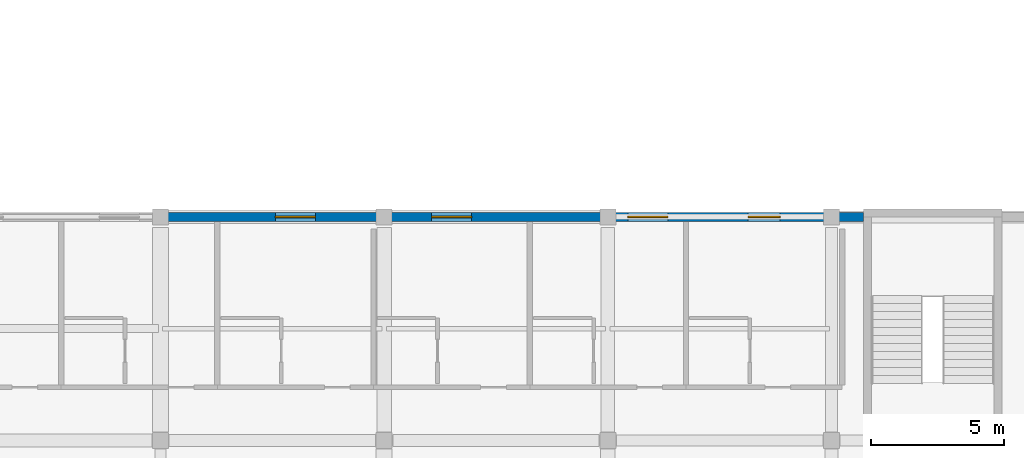
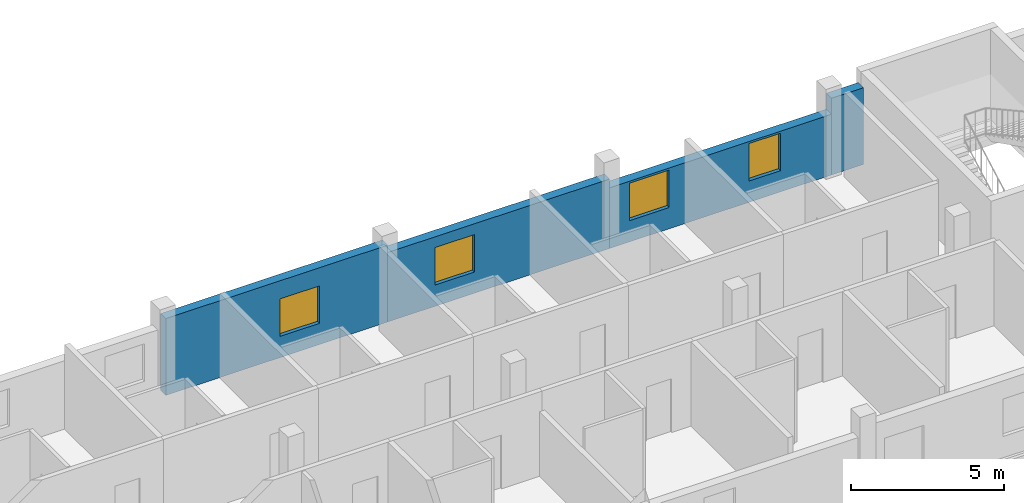
# One storey, part 20 of 25: 4 walls, 4 windows, 4 openings.
"""IFC4 building model written with IfcOpenShell, lengths in metres."""

from ifc_helpers import new_model, si_unit, derived_unit, direction, frame, frame_2d, origin, place, context, subcontext, project, spatial, rectangle, extrude, material, layer, layer_set, type_object, element, fill, save


model = new_model("IFC4")

# Units and contexts
model_context = context("Model", 3, precision=1e-05, world=origin(), true_north=direction((0.0, 1.0)))
body_context = subcontext(model_context, "Body", "Model", "MODEL_VIEW")
ifc_project = project(units=[si_unit("LENGTHUNIT", "METRE"), si_unit("AREAUNIT", "SQUARE_METRE"), si_unit("VOLUMEUNIT", "CUBIC_METRE"), si_unit("PLANEANGLEUNIT", "RADIAN"), si_unit("MASSUNIT", "GRAM", prefix="KILO"), derived_unit("THERMALTRANSMITTANCEUNIT", [(si_unit("POWERUNIT", "WATT"), 1), (si_unit("LENGTHUNIT", "METRE"), -2), (si_unit("THERMODYNAMICTEMPERATUREUNIT", "KELVIN"), -1)])], contexts=[model_context])

# Site, building, storey
site_placement = place(None, origin())
site = spatial("IfcSite", under=ifc_project, at=site_placement, CompositionType="ELEMENT")
building_placement = place(site_placement, origin())
building = spatial("IfcBuilding", under=site, at=building_placement, Name="Barrovel Congress Hotel", CompositionType="ELEMENT")
storey_placement = place(building_placement, frame((0.0, 0.0, 25.5)))
storey = spatial("IfcBuildingStorey", under=building, at=storey_placement, Name="L06", CompositionType="ELEMENT", Elevation=25.5)

# Wall, openings, windows
ifc_material_1 = material(Name="Fired Clay Brick Masonry", Category="masonry")
ifc_layer = layer(ifc_material_1, 0.340087890625)
ifc_layer_set = layer_set([ifc_layer], Name="Fired Clay Brick Masonry")
wall_type = type_object("IfcWallType", Name="EW-BRK340", PredefinedType="STANDARD", material=ifc_layer_set)
wall_1_placement = place(storey_placement, frame((142.800048828125, 21.0, 0.0), z_axis=(0.0, 0.0, 1.0), x_axis=(-1.0, 0.0, 0.0)))
wall_1 = element("IfcWall", 1, at=wall_1_placement, inside=storey, type_object=wall_type, Name="EW:L06:HS-NE-2", PredefinedType="STANDARD", context=body_context, shape_type="SweptSolid", body=[
    extrude(rectangle(XDim=8.400146484375, YDim=0.340087890625, at=frame_2d((4.2001953125, 0.0))), origin(), (0.0, 0.0, 1.0), 2.429931640625),
])
opening_1_placement = place(wall_1_placement, frame((6.14990234375, 0.0, 0.85009765625)))
opening_1 = element("IfcOpeningElement", 2, at=opening_1_placement, cuts=wall_1, Name="Opening WN-07", PredefinedType="OPENING", context=body_context, shape_type="SweptSolid", body=[
    extrude(rectangle(XDim=1.5, YDim=1.5, at=frame_2d((0.75, 0.75))), frame((0.0, 0.18017578125, 0.0), z_axis=(0.0, -1.0, 0.0), x_axis=(1.0, 0.0, 0.0)), (0.0, 0.0, 1.0), 0.360107421875),
])
opening_2_placement = place(wall_1_placement, frame((1.933349609375, 0.0, 0.85009765625)))
opening_2 = element("IfcOpeningElement", 3, at=opening_2_placement, cuts=wall_1, Name="Opening WN-06", PredefinedType="OPENING", context=body_context, shape_type="SweptSolid", body=[
    extrude(rectangle(XDim=1.199951171875, YDim=1.5, at=frame_2d((0.60009765625, 0.75))), frame((0.0, 0.18017578125, 0.0), z_axis=(0.0, -1.0, 0.0), x_axis=(1.0, 0.0, 0.0)), (0.0, 0.0, 1.0), 0.360107421875),
])
ifc_material_2 = material(Name="Double Low-E Insulated Glazing", Category="glass")
window_type_1 = type_object("IfcWindowType", Name="WIN-WN-06", PartitioningType="SINGLE_PANEL", PredefinedType="WINDOW", material=ifc_material_2)
window_1_placement = place(opening_2_placement, origin())
window_1 = element("IfcWindow", 4, at=window_1_placement, inside=storey, type_object=window_type_1, Name="WIN:L06:U27", OverallHeight=1.5, OverallWidth=1.199951171875, PartitioningType="SINGLE_PANEL", PredefinedType="WINDOW", context=body_context, shape_type="SweptSolid", body=[
    extrude(rectangle(XDim=1.199951171875, YDim=1.5, at=frame_2d((0.60009765625, 0.75))), frame((0.0, 0.030029296875, 0.0), z_axis=(0.0, -1.0, 0.0), x_axis=(1.0, 0.0, 0.0)), (0.0, 0.0, 1.0), 0.06005859375),
])
fill(opening_2, window_1)
window_type_2 = type_object("IfcWindowType", Name="WIN-WN-07", PartitioningType="SINGLE_PANEL", PredefinedType="WINDOW", material=ifc_material_2)
window_2_placement = place(opening_1_placement, origin())
window_2 = element("IfcWindow", 5, at=window_2_placement, inside=storey, type_object=window_type_2, Name="WIN:L06:U26", OverallHeight=1.5, OverallWidth=1.5, PartitioningType="SINGLE_PANEL", PredefinedType="WINDOW", context=body_context, shape_type="SweptSolid", body=[
    extrude(rectangle(XDim=1.5, YDim=1.5, at=frame_2d((0.75, 0.75))), frame((0.0, 0.030029296875, 0.0), z_axis=(0.0, -1.0, 0.0), x_axis=(1.0, 0.0, 0.0)), (0.0, 0.0, 1.0), 0.06005859375),
])
fill(opening_1, window_2)

# Wall
wall_2_placement = place(storey_placement, frame((144.0, 21.0, 0.0), z_axis=(0.0, 0.0, 1.0), x_axis=(-1.0, 0.0, 0.0)))
element("IfcWall", 6, at=wall_2_placement, inside=storey, type_object=wall_type, Name="EW:L06:HS-NE-2:P01", PredefinedType="STANDARD", context=body_context, shape_type="SweptSolid", body=[
    extrude(rectangle(XDim=1.199951171875, YDim=0.340087890625, at=frame_2d((0.60009765625, 0.0))), origin(), (0.0, 0.0, 1.0), 3.070068359375),
])

# Wall, opening, window
wall_3_placement = place(storey_placement, frame((134.39990234375, 21.0, 0.0), z_axis=(0.0, 0.0, 1.0), x_axis=(-1.0, 0.0, 0.0)))
wall_3 = element("IfcWall", 7, at=wall_3_placement, inside=storey, type_object=wall_type, Name="EW:L06:HS-NE-2:P03", PredefinedType="STANDARD", context=body_context, shape_type="SweptSolid", body=[
    extrude(rectangle(XDim=8.39990234375, YDim=0.340087890625, at=frame_2d((4.199951171875, 0.0))), origin(), (0.0, 0.0, 1.0), 2.780029296875),
])
opening_3_placement = place(wall_3_placement, frame((5.11669921875, 0.0, 0.85009765625)))
opening_3 = element("IfcOpeningElement", 8, at=opening_3_placement, cuts=wall_3, Name="Opening WN-07", PredefinedType="OPENING", context=body_context, shape_type="SweptSolid", body=[
    extrude(rectangle(XDim=1.5, YDim=1.5, at=frame_2d((0.75, 0.75))), frame((0.0, 0.18017578125, 0.0), z_axis=(0.0, -1.0, 0.0), x_axis=(1.0, 0.0, 0.0)), (0.0, 0.0, 1.0), 0.360107421875),
])
window_3_placement = place(opening_3_placement, origin())
window_3 = element("IfcWindow", 9, at=window_3_placement, inside=storey, type_object=window_type_2, Name="WIN:L06:U25", OverallHeight=1.5, OverallWidth=1.5, PartitioningType="SINGLE_PANEL", PredefinedType="WINDOW", context=body_context, shape_type="SweptSolid", body=[
    extrude(rectangle(XDim=1.5, YDim=1.5, at=frame_2d((0.75, 0.75))), frame((0.0, 0.030029296875, 0.0), z_axis=(0.0, -1.0, 0.0), x_axis=(1.0, 0.0, 0.0)), (0.0, 0.0, 1.0), 0.06005859375),
])
fill(opening_3, window_3)

wall_4_placement = place(storey_placement, frame((126.0, 21.0, 0.0), z_axis=(0.0, 0.0, 1.0), x_axis=(-1.0, 0.0, 0.0)))
wall_4 = element("IfcWall", 10, at=wall_4_placement, inside=storey, type_object=wall_type, Name="EW:L06:HS-NE-2:P04", PredefinedType="STANDARD", context=body_context, shape_type="SweptSolid", body=[
    extrude(rectangle(XDim=8.39990234375, YDim=0.340087890625, at=frame_2d((4.199951171875, 0.0))), origin(), (0.0, 0.0, 1.0), 3.0751953125),
])
opening_4_placement = place(wall_4_placement, frame((2.583251953125, 0.0, 0.85009765625)))
opening_4 = element("IfcOpeningElement", 11, at=opening_4_placement, cuts=wall_4, Name="Opening WN-07", PredefinedType="OPENING", context=body_context, shape_type="SweptSolid", body=[
    extrude(rectangle(XDim=1.5, YDim=1.5, at=frame_2d((0.75, 0.75))), frame((0.0, 0.18017578125, 0.0), z_axis=(0.0, -1.0, 0.0), x_axis=(1.0, 0.0, 0.0)), (0.0, 0.0, 1.0), 0.360107421875),
])
window_4_placement = place(opening_4_placement, origin())
window_4 = element("IfcWindow", 12, at=window_4_placement, inside=storey, type_object=window_type_2, Name="WIN:L06:U24", OverallHeight=1.5, OverallWidth=1.5, PartitioningType="SINGLE_PANEL", PredefinedType="WINDOW", context=body_context, shape_type="SweptSolid", body=[
    extrude(rectangle(XDim=1.5, YDim=1.5, at=frame_2d((0.75, 0.75))), frame((0.0, 0.030029296875, 0.0), z_axis=(0.0, -1.0, 0.0), x_axis=(1.0, 0.0, 0.0)), (0.0, 0.0, 1.0), 0.06005859375),
])
fill(opening_4, window_4)

save(model, "model.ifc")
